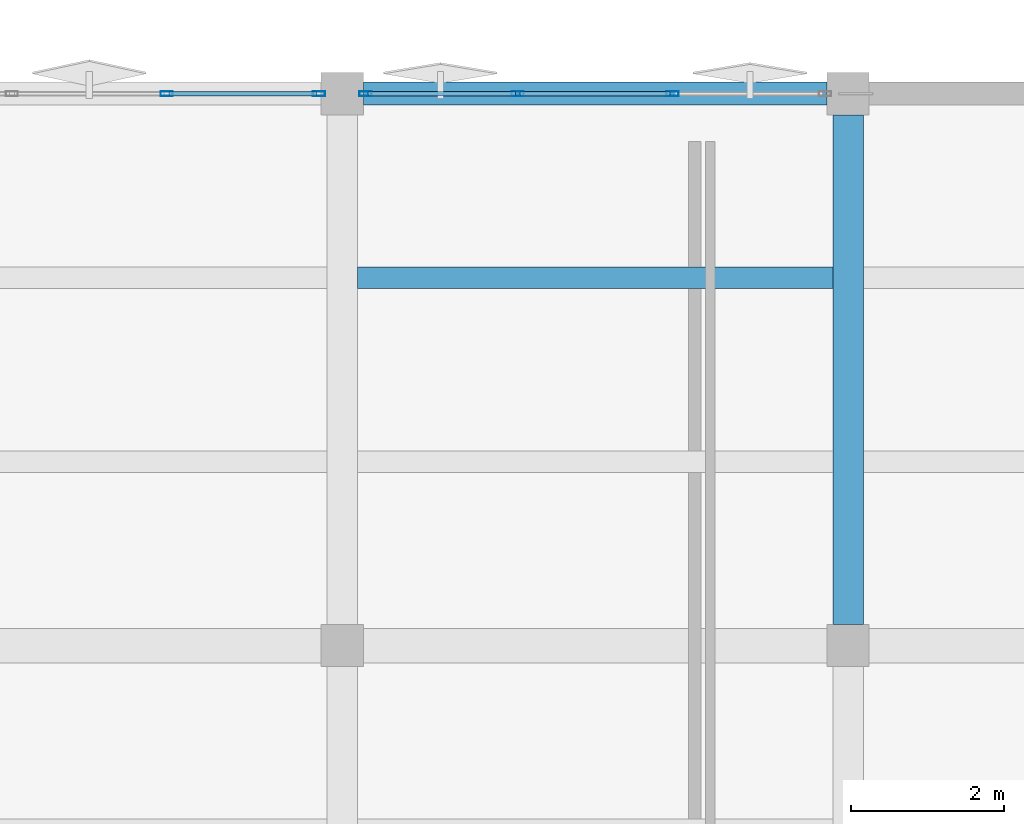
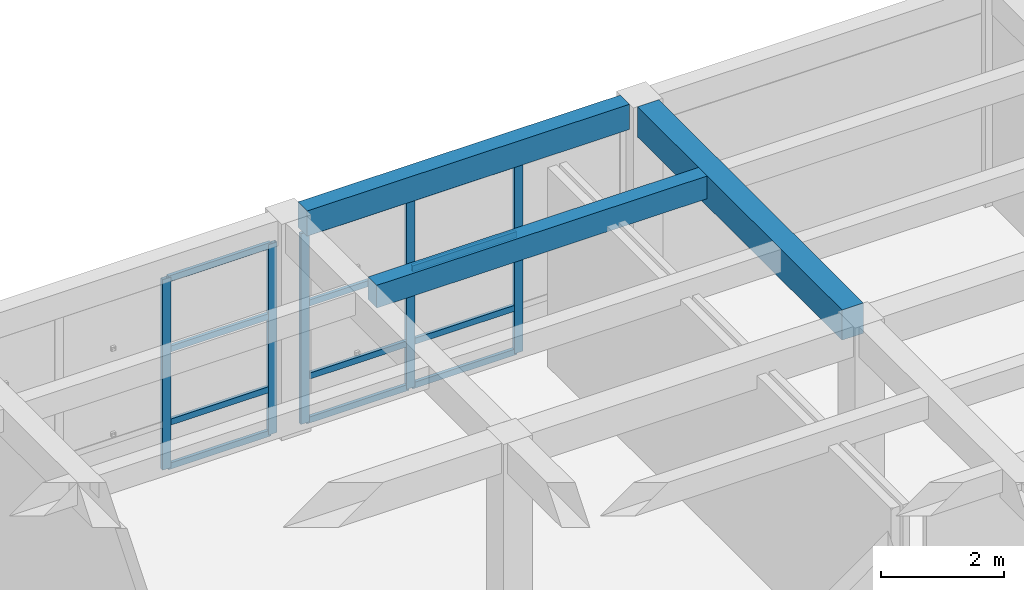
# One storey, part 20 of 39: 17 members, 3 beams, 2 elements without a shape of their own.
"""IFC4 building model written with IfcOpenShell, lengths in metres."""

from ifc_helpers import new_model, si_unit, direction, frame, origin, origin_2d, place, context, subcontext, project, spatial, rectangle, hollow_rectangle, extrude, material, layer, layer_set, material_profile, profile_set, type_object, element, aggregate, save


model = new_model("IFC4")

# Units and contexts
model_context = context("Model", 3, precision=1e-05, world=origin(), true_north=direction((0.0, 1.0)))
body_context = subcontext(model_context, "Body", "Model", "MODEL_VIEW")
ifc_project = project(units=[si_unit("LENGTHUNIT", "METRE"), si_unit("AREAUNIT", "SQUARE_METRE"), si_unit("VOLUMEUNIT", "CUBIC_METRE"), si_unit("PLANEANGLEUNIT", "RADIAN"), si_unit("MASSUNIT", "GRAM", prefix="KILO")], contexts=[model_context])

# Site, building, storey
site_placement = place(None, origin())
site = spatial("IfcSite", under=ifc_project, at=site_placement, CompositionType="ELEMENT")
building_placement = place(site_placement, origin())
building = spatial("IfcBuilding", under=site, at=building_placement, Name="Kharisveld Research Institute", CompositionType="ELEMENT")
storey_placement = place(building_placement, frame((0.0, 0.0, 23.10009765625)))
storey = spatial("IfcBuildingStorey", under=building, at=storey_placement, Name="L05", CompositionType="ELEMENT", Elevation=23.10009765625)

# Beam
ifc_material_1 = material(Name="Concrete C40/50", Category="concrete")
ifc_material_profile_1 = material_profile(ifc_material_1, rectangle(XDim=0.39990234375, YDim=0.60009765625, at=origin_2d()))
ifc_profile_set_1 = profile_set([ifc_material_profile_1], Name="Concrete C40/50")
beam_type_1 = type_object("IfcBeamType", Name="BM_RC_400x600", PredefinedType="BEAM", material=ifc_profile_set_1)
beam_1_placement = place(storey_placement, frame((154.199951171875, 53.875, 3.989990234375), z_axis=(0.0, 1.0, 0.0), x_axis=(-1.0, 0.0, 0.0)))
element("IfcBeam", 1, at=beam_1_placement, inside=storey, type_object=beam_type_1, Name="BM:V2:L05:V6_2", PredefinedType="BEAM", context=body_context, shape_type="SweptSolid", body=[
    extrude(rectangle(XDim=0.39990234375, YDim=0.60009765625, at=origin_2d()), origin(), (0.0, 0.0, 1.0), 6.64990234375),
])

# Curtain wall, members
ifc_material_2 = material(Name="Thermally Broken Aluminium Curtain Wall", Category="aluminium")
ifc_layer_1 = layer(ifc_material_2, 0.159912109375)
ifc_layer_set_1 = layer_set([ifc_layer_1], Name="CW_SYS_05")
curtain_wall_type_1 = type_object("IfcCurtainWallType", Name="CW_SYS_05", PredefinedType="NOTDEFINED", material=ifc_layer_set_1)
curtain_wall_1_placement = place(storey_placement, origin())
curtain_wall_1 = element("IfcCurtainWall", 2, at=curtain_wall_1_placement, inside=storey, type_object=curtain_wall_type_1, Name="CW:V2:L05:N4", PredefinedType="NOTDEFINED")
ifc_material_3 = material(Name="Anodised Aluminium AW-6063-T6", Category="aluminium")
ifc_material_profile_2 = material_profile(ifc_material_3, hollow_rectangle(XDim=0.06494140625, YDim=0.159912109375, WallThickness=0.00390625, at=origin_2d()))
ifc_profile_set_2 = profile_set([ifc_material_profile_2], Name="Anodised Aluminium AW-6063-T6")
member_type_1 = type_object("IfcMemberType", Name="CW_MUL_160", PredefinedType="MULLION", material=ifc_profile_set_2)
member_1_placement = place(storey_placement, frame((145.31005859375, 60.800048828125, 0.0), z_axis=(0.0, 0.0, 1.0), x_axis=(0.0, 1.0, 0.0)))
member_1 = element("IfcMember", 3, at=member_1_placement, type_object=member_type_1, Name="CW-05 mullion 3", PredefinedType="MULLION", context=body_context, shape_type="SweptSolid", body=[
    extrude(hollow_rectangle(XDim=0.06494140625, YDim=0.159912109375, WallThickness=0.00390625, at=origin_2d()), origin(), (0.0, 0.0, 1.0), 3.77978515625),
])
member_2_placement = place(storey_placement, frame((147.297607421875, 60.800048828125, 0.0), z_axis=(0.0, 0.0, 1.0), x_axis=(0.0, 1.0, 0.0)))
member_2 = element("IfcMember", 4, at=member_2_placement, type_object=member_type_1, Name="CW-05 mullion 4", PredefinedType="MULLION", context=body_context, shape_type="SweptSolid", body=[
    extrude(hollow_rectangle(XDim=0.06494140625, YDim=0.159912109375, WallThickness=0.00390625, at=origin_2d()), origin(), (0.0, 0.0, 1.0), 3.77978515625),
])

ifc_material_4 = material(Name="Thermally Broken Aluminium Curtain Wall", Category="aluminium")
ifc_layer_2 = layer(ifc_material_4, 0.159912109375)
ifc_layer_set_2 = layer_set([ifc_layer_2], Name="CW_SYS_06")
curtain_wall_type_2 = type_object("IfcCurtainWallType", Name="CW_SYS_06", PredefinedType="NOTDEFINED", material=ifc_layer_set_2)
curtain_wall_2_placement = place(storey_placement, origin())
curtain_wall_2 = element("IfcCurtainWall", 5, at=curtain_wall_2_placement, inside=storey, type_object=curtain_wall_type_2, Name="CW:V2:L05:N5", PredefinedType="NOTDEFINED")
member_3_placement = place(storey_placement, frame((147.902587890625, 60.800048828125, 0.0), z_axis=(0.0, 0.0, 1.0), x_axis=(0.0, 1.0, 0.0)))
member_3 = element("IfcMember", 6, at=member_3_placement, type_object=member_type_1, Name="CW-06 mullion 1", PredefinedType="MULLION", context=body_context, shape_type="SweptSolid", body=[
    extrude(hollow_rectangle(XDim=0.06494140625, YDim=0.159912109375, WallThickness=0.00390625, at=origin_2d()), origin(), (0.0, 0.0, 1.0), 3.77978515625),
])
member_4_placement = place(storey_placement, frame((149.889892578125, 60.800048828125, 0.0), z_axis=(0.0, 0.0, 1.0), x_axis=(0.0, 1.0, 0.0)))
member_4 = element("IfcMember", 7, at=member_4_placement, type_object=member_type_1, Name="CW-06 mullion 2", PredefinedType="MULLION", context=body_context, shape_type="SweptSolid", body=[
    extrude(hollow_rectangle(XDim=0.06494140625, YDim=0.159912109375, WallThickness=0.00390625, at=origin_2d()), origin(), (0.0, 0.0, 1.0), 3.77978515625),
])
member_5_placement = place(storey_placement, frame((151.909912109375, 60.800048828125, 0.0), z_axis=(0.0, 0.0, 1.0), x_axis=(0.0, 1.0, 0.0)))
member_5 = element("IfcMember", 8, at=member_5_placement, type_object=member_type_1, Name="CW-06 mullion 3", PredefinedType="MULLION", context=body_context, shape_type="SweptSolid", body=[
    extrude(hollow_rectangle(XDim=0.06494140625, YDim=0.159912109375, WallThickness=0.00390625, at=origin_2d()), origin(), (0.0, 0.0, 1.0), 3.77978515625),
])

# Member
ifc_material_5 = material(Name="Anodised Aluminium AW-6063-T6", Category="aluminium")
ifc_material_profile_3 = material_profile(ifc_material_5, hollow_rectangle(XDim=0.06005859375, YDim=0.1201171875, WallThickness=0.00390625, at=origin_2d()))
ifc_profile_set_3 = profile_set([ifc_material_profile_3], Name="Anodised Aluminium AW-6063-T6")
member_type_2 = type_object("IfcMemberType", Name="CW_TRN_120", PredefinedType="USERDEFINED", material=ifc_profile_set_3)
member_6_placement = place(storey_placement, frame((145.342529296875, 60.800048828125, 0.02978515625), z_axis=(1.0, 0.0, 0.0), x_axis=(0.0, 1.0, 0.0)))
member_6 = element("IfcMember", 9, at=member_6_placement, type_object=member_type_2, Name="CW-05 transom 3.1", ObjectType="TRANSOM", PredefinedType="USERDEFINED", context=body_context, shape_type="SweptSolid", body=[
    extrude(hollow_rectangle(XDim=0.06005859375, YDim=0.1201171875, WallThickness=0.00390625, at=origin_2d()), origin(), (0.0, 0.0, 1.0), 1.92236328125),
])

member_7_placement = place(storey_placement, frame((145.342529296875, 60.800048828125, 0.89990234375), z_axis=(1.0, 0.0, 0.0), x_axis=(0.0, 1.0, 0.0)))
member_7 = element("IfcMember", 10, at=member_7_placement, type_object=member_type_2, Name="CW-05 transom 3.2", ObjectType="TRANSOM", PredefinedType="USERDEFINED", context=body_context, shape_type="SweptSolid", body=[
    extrude(hollow_rectangle(XDim=0.06005859375, YDim=0.1201171875, WallThickness=0.00390625, at=origin_2d()), origin(), (0.0, 0.0, 1.0), 1.92236328125),
])

member_8_placement = place(storey_placement, frame((145.342529296875, 60.800048828125, 2.349853515625), z_axis=(1.0, 0.0, 0.0), x_axis=(0.0, 1.0, 0.0)))
member_8 = element("IfcMember", 11, at=member_8_placement, type_object=member_type_2, Name="CW-05 transom 3.3", ObjectType="TRANSOM", PredefinedType="USERDEFINED", context=body_context, shape_type="SweptSolid", body=[
    extrude(hollow_rectangle(XDim=0.06005859375, YDim=0.1201171875, WallThickness=0.00390625, at=origin_2d()), origin(), (0.0, 0.0, 1.0), 1.92236328125),
])

member_9_placement = place(storey_placement, frame((145.342529296875, 60.800048828125, 3.75), z_axis=(1.0, 0.0, 0.0), x_axis=(0.0, 1.0, 0.0)))
member_9 = element("IfcMember", 12, at=member_9_placement, type_object=member_type_2, Name="CW-05 transom 3.4", ObjectType="TRANSOM", PredefinedType="USERDEFINED", context=body_context, shape_type="SweptSolid", body=[
    extrude(hollow_rectangle(XDim=0.06005859375, YDim=0.1201171875, WallThickness=0.00390625, at=origin_2d()), origin(), (0.0, 0.0, 1.0), 1.92236328125),
])

aggregate(curtain_wall_1, [member_1, member_2, member_6, member_7, member_8, member_9])

member_10_placement = place(storey_placement, frame((147.93505859375, 60.800048828125, 0.02978515625), z_axis=(1.0, 0.0, 0.0), x_axis=(0.0, 1.0, 0.0)))
member_10 = element("IfcMember", 13, at=member_10_placement, type_object=member_type_2, Name="CW-06 transom 1.1", ObjectType="TRANSOM", PredefinedType="USERDEFINED", context=body_context, shape_type="SweptSolid", body=[
    extrude(hollow_rectangle(XDim=0.06005859375, YDim=0.1201171875, WallThickness=0.00390625, at=origin_2d()), origin(), (0.0, 0.0, 1.0), 1.92236328125),
])

member_11_placement = place(storey_placement, frame((147.93505859375, 60.800048828125, 0.89990234375), z_axis=(1.0, 0.0, 0.0), x_axis=(0.0, 1.0, 0.0)))
member_11 = element("IfcMember", 14, at=member_11_placement, type_object=member_type_2, Name="CW-06 transom 1.2", ObjectType="TRANSOM", PredefinedType="USERDEFINED", context=body_context, shape_type="SweptSolid", body=[
    extrude(hollow_rectangle(XDim=0.06005859375, YDim=0.1201171875, WallThickness=0.00390625, at=origin_2d()), origin(), (0.0, 0.0, 1.0), 1.92236328125),
])

member_12_placement = place(storey_placement, frame((147.93505859375, 60.800048828125, 2.349853515625), z_axis=(1.0, 0.0, 0.0), x_axis=(0.0, 1.0, 0.0)))
member_12 = element("IfcMember", 15, at=member_12_placement, type_object=member_type_2, Name="CW-06 transom 1.3", ObjectType="TRANSOM", PredefinedType="USERDEFINED", context=body_context, shape_type="SweptSolid", body=[
    extrude(hollow_rectangle(XDim=0.06005859375, YDim=0.1201171875, WallThickness=0.00390625, at=origin_2d()), origin(), (0.0, 0.0, 1.0), 1.92236328125),
])

member_13_placement = place(storey_placement, frame((147.93505859375, 60.800048828125, 3.75), z_axis=(1.0, 0.0, 0.0), x_axis=(0.0, 1.0, 0.0)))
member_13 = element("IfcMember", 16, at=member_13_placement, type_object=member_type_2, Name="CW-06 transom 1.4", ObjectType="TRANSOM", PredefinedType="USERDEFINED", context=body_context, shape_type="SweptSolid", body=[
    extrude(hollow_rectangle(XDim=0.06005859375, YDim=0.1201171875, WallThickness=0.00390625, at=origin_2d()), origin(), (0.0, 0.0, 1.0), 1.92236328125),
])

member_14_placement = place(storey_placement, frame((149.922607421875, 60.800048828125, 0.02978515625), z_axis=(1.0, 0.0, 0.0), x_axis=(0.0, 1.0, 0.0)))
member_14 = element("IfcMember", 17, at=member_14_placement, type_object=member_type_2, Name="CW-06 transom 2.1", ObjectType="TRANSOM", PredefinedType="USERDEFINED", context=body_context, shape_type="SweptSolid", body=[
    extrude(hollow_rectangle(XDim=0.06005859375, YDim=0.1201171875, WallThickness=0.00390625, at=origin_2d()), origin(), (0.0, 0.0, 1.0), 1.954833984375),
])

member_15_placement = place(storey_placement, frame((149.922607421875, 60.800048828125, 0.89990234375), z_axis=(1.0, 0.0, 0.0), x_axis=(0.0, 1.0, 0.0)))
member_15 = element("IfcMember", 18, at=member_15_placement, type_object=member_type_2, Name="CW-06 transom 2.2", ObjectType="TRANSOM", PredefinedType="USERDEFINED", context=body_context, shape_type="SweptSolid", body=[
    extrude(hollow_rectangle(XDim=0.06005859375, YDim=0.1201171875, WallThickness=0.00390625, at=origin_2d()), origin(), (0.0, 0.0, 1.0), 1.954833984375),
])

member_16_placement = place(storey_placement, frame((149.922607421875, 60.800048828125, 2.349853515625), z_axis=(1.0, 0.0, 0.0), x_axis=(0.0, 1.0, 0.0)))
member_16 = element("IfcMember", 19, at=member_16_placement, type_object=member_type_2, Name="CW-06 transom 2.3", ObjectType="TRANSOM", PredefinedType="USERDEFINED", context=body_context, shape_type="SweptSolid", body=[
    extrude(hollow_rectangle(XDim=0.06005859375, YDim=0.1201171875, WallThickness=0.00390625, at=origin_2d()), origin(), (0.0, 0.0, 1.0), 1.954833984375),
])

member_17_placement = place(storey_placement, frame((149.922607421875, 60.800048828125, 3.75), z_axis=(1.0, 0.0, 0.0), x_axis=(0.0, 1.0, 0.0)))
member_17 = element("IfcMember", 20, at=member_17_placement, type_object=member_type_2, Name="CW-06 transom 2.4", ObjectType="TRANSOM", PredefinedType="USERDEFINED", context=body_context, shape_type="SweptSolid", body=[
    extrude(hollow_rectangle(XDim=0.06005859375, YDim=0.1201171875, WallThickness=0.00390625, at=origin_2d()), origin(), (0.0, 0.0, 1.0), 1.954833984375),
])

aggregate(curtain_wall_2, [member_3, member_4, member_5, member_10, member_11, member_12, member_13, member_14, member_15, member_16, member_17])

# Beams
ifc_material_6 = material(Name="Concrete C40/50", Category="concrete")
ifc_material_profile_4 = material_profile(ifc_material_6, rectangle(XDim=0.300048828125, YDim=0.5, at=origin_2d()))
ifc_profile_set_4 = profile_set([ifc_material_profile_4], Name="Concrete C40/50")
beam_type_2 = type_object("IfcBeamType", Name="SP_RC_300x500", PredefinedType="SPANDREL", material=ifc_profile_set_4)
beam_2_placement = place(storey_placement, frame((147.875, 60.800048828125, 4.039794921875), z_axis=(1.0, 0.0, 0.0), x_axis=(0.0, 1.0, 0.0)))
element("IfcBeam", 21, at=beam_2_placement, inside=storey, type_object=beam_type_2, Name="BM:V2:L05:U5_3", PredefinedType="SPANDREL", context=body_context, shape_type="SweptSolid", body=[
    extrude(rectangle(XDim=0.300048828125, YDim=0.5, at=origin_2d()), origin(), (0.0, 0.0, 1.0), 6.050048828125),
])
ifc_material_7 = material(Name="Concrete C40/50", Category="concrete")
ifc_material_profile_5 = material_profile(ifc_material_7, rectangle(XDim=0.280029296875, YDim=0.449951171875, at=origin_2d()))
ifc_profile_set_5 = profile_set([ifc_material_profile_5], Name="Concrete C40/50")
beam_type_3 = type_object("IfcBeamType", Name="WB_RC_280x450", PredefinedType="JOIST", material=ifc_profile_set_5)
beam_3_placement = place(storey_placement, frame((147.800048828125, 58.39990234375, 4.06494140625), z_axis=(1.0, 0.0, 0.0), x_axis=(0.0, 1.0, 0.0)))
element("IfcBeam", 22, at=beam_3_placement, inside=storey, type_object=beam_type_3, Name="BM:V2:L05:J_5_2_R2", PredefinedType="JOIST", context=body_context, shape_type="SweptSolid", body=[
    extrude(rectangle(XDim=0.280029296875, YDim=0.449951171875, at=origin_2d()), origin(), (0.0, 0.0, 1.0), 6.199951171875),
])

save(model, "model.ifc")
